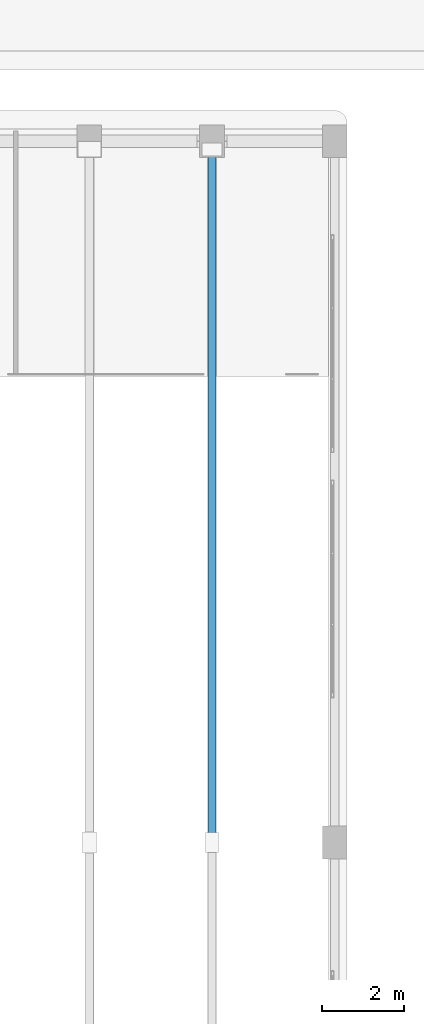
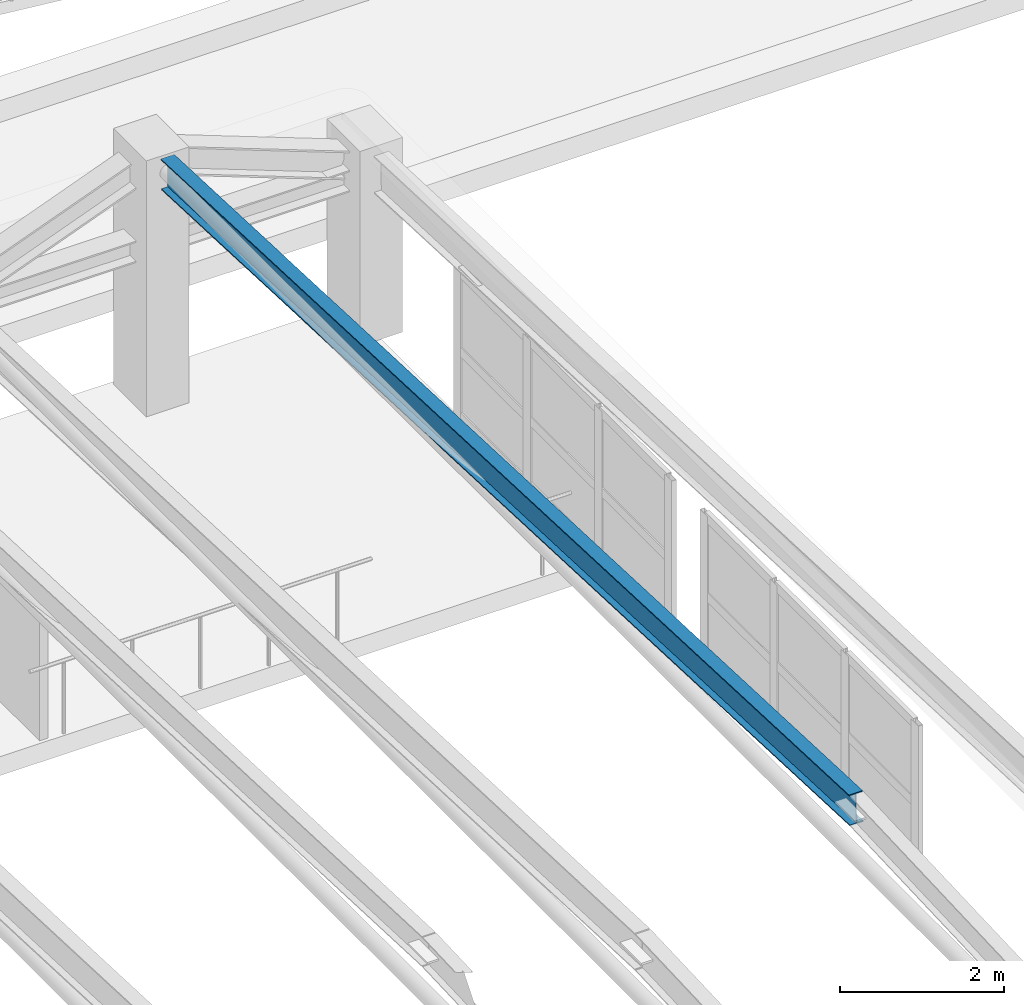
# One storey, part 32 of 128: 1 beam.
"""IFC4 building model written with IfcOpenShell, lengths in metres."""

from ifc_helpers import new_model, si_unit, direction, frame, origin, origin_2d, place, context, subcontext, project, spatial, i_section, extrude, material, material_profile, profile_set, type_object, element, save


model = new_model("IFC4")

# Units and contexts
model_context = context("Model", 3, precision=1e-05, world=origin(), true_north=direction((0.0, 1.0)))
body_context = subcontext(model_context, "Body", "Model", "MODEL_VIEW")
ifc_project = project(units=[si_unit("LENGTHUNIT", "METRE"), si_unit("AREAUNIT", "SQUARE_METRE"), si_unit("VOLUMEUNIT", "CUBIC_METRE"), si_unit("PLANEANGLEUNIT", "RADIAN"), si_unit("MASSUNIT", "GRAM", prefix="KILO")], contexts=[model_context])

# Site, building, storey
site_placement = place(None, origin())
site = spatial("IfcSite", under=ifc_project, at=site_placement, CompositionType="ELEMENT")
building_placement = place(site_placement, origin())
building = spatial("IfcBuilding", under=site, at=building_placement, Name="Keldmere Railside Commons", CompositionType="ELEMENT")
storey_placement = place(building_placement, frame((0.0, 0.0, 4.159912109375)))
storey = spatial("IfcBuildingStorey", under=building, at=storey_placement, Name="L01", CompositionType="ELEMENT", Elevation=4.159912109375)

# Beam
ifc_material = material(Name="Steel F-36 (S355)", Category="steel")
ifc_material_profile = material_profile(ifc_material, i_section(OverallWidth=0.18994140625, OverallDepth=0.449951171875, WebThickness=0.009521484375, FlangeThickness=0.0146484375, at=origin_2d()), Name="IPE-450")
ifc_profile_set = profile_set([ifc_material_profile], Name="Steel F-36 (S355)")
beam_type = type_object("IfcBeamType", Name="Folded-Plate Steel Ridge Rib IPE450", PredefinedType="BEAM", material=ifc_profile_set)
beam_placement = place(storey_placement, frame((103.0, 29.60009765625, 4.239990234375), z_axis=(0.0, 0.999102933585, -0.042347704799), x_axis=(-1.0, 0.0, 0.0)))
element("IfcBeam", 1, at=beam_placement, inside=storey, type_object=beam_type, Name="FPR-1 BM-L01-2654", PredefinedType="BEAM", context=body_context, shape_type="SweptSolid", body=[
    extrude(i_section(OverallWidth=0.18994140625, OverallDepth=0.449951171875, WebThickness=0.009521484375, FlangeThickness=0.0146484375, at=origin_2d()), origin(), (0.0, 0.0, 1.0), 16.76513671875),
])

save(model, "model.ifc")
